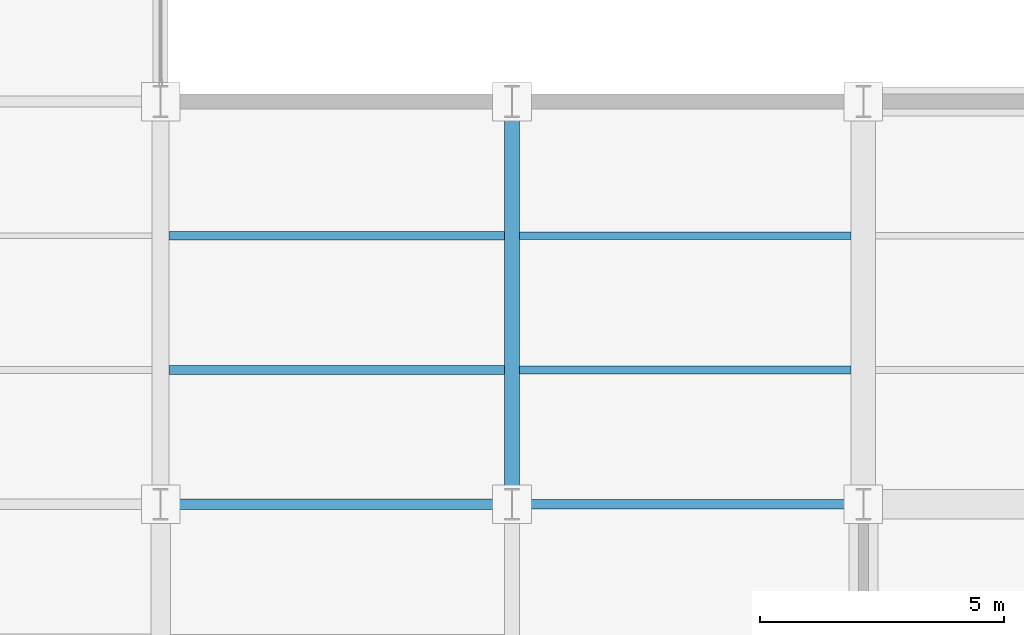
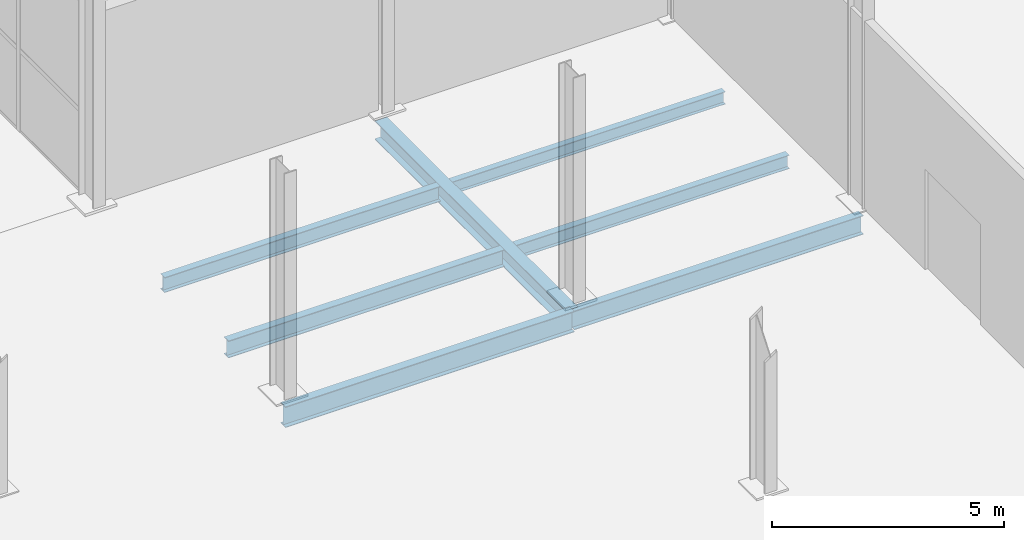
# One storey, part 82 of 144: 7 beams.
"""IFC4 building model written with IfcOpenShell, lengths in metres."""

import ifcopenshell
import ifcopenshell.guid

model = None  # the IFC model being written
_history = None  # IfcOwnerHistory: only IFC2X3 demands one
_inside = {}  # id of a spatial element -> (the spatial element, [elements in it])
_under = {}  # id of a project, library or spatial element -> (it, [spatial elements below it])
_declared = {}  # id of a project -> (the project, [libraries it declares])
_typed = {}  # id of a type object -> (the type object, [elements of that type])
_made_of = {}  # id of a material, layer set ... -> (it, [elements and type objects made of it])


def new_model(schema):
    """Start an empty IFC model of exactly this schema.

    Asked for "IFC4X3", IfcOpenShell would pick the latest addendum, in which some entities
    have other attributes; the version numbers below select the first issue.
    IFC2X3 requires an IfcOwnerHistory on every rooted entity: one is made here for all.
    """
    global model, _history
    if schema == "IFC4X3":
        model = ifcopenshell.file(schema_version=(4, 3, 0, 0))
    else:
        model = ifcopenshell.file(schema=schema)
    _inside.clear()
    _under.clear()
    _declared.clear()
    _typed.clear()
    _made_of.clear()
    _history = None
    if model.schema == "IFC2X3":
        org = make("IfcOrganization", Name="unknown")
        user = make(
            "IfcPersonAndOrganization",
            ThePerson=make("IfcPerson", FamilyName="unknown"),
            TheOrganization=org,
        )
        app = make(
            "IfcApplication",
            ApplicationDeveloper=org,
            Version="unknown",
            ApplicationFullName="unknown",
            ApplicationIdentifier="unknown",
        )
        _history = make(
            "IfcOwnerHistory",
            OwningUser=user,
            OwningApplication=app,
            ChangeAction="ADDED",
            CreationDate=0,
        )
    return model


def make(cls, **values):
    """One entity of the class cls with the attributes given. An attribute that is None is left unset."""
    return model.create_entity(
        cls, **{name: value for name, value in values.items() if value is not None}
    )


def rooted(cls, **values):
    """An entity with a GlobalId (a new one), such as an element, a storey or a relation."""
    return make(cls, GlobalId=ifcopenshell.guid.new(), OwnerHistory=_history, **values)


def si_unit(unit_type, name, prefix=None):
    """IfcSIUnit, for example si_unit("LENGTHUNIT", "METRE", prefix="MILLI")."""
    return make("IfcSIUnit", UnitType=unit_type, Prefix=prefix, Name=name)


def assignment(units):
    """IfcUnitAssignment: the units of a project."""
    return None if units is None else make("IfcUnitAssignment", Units=units)


def point(xyz):
    """IfcCartesianPoint."""
    return None if xyz is None else make("IfcCartesianPoint", Coordinates=xyz)


def direction(xyz):
    """IfcDirection."""
    return None if xyz is None else make("IfcDirection", DirectionRatios=xyz)


def frame(location, z_axis=None, x_axis=None):
    """IfcAxis2Placement3D, a coordinate frame: its origin and axes. An axis left out is left unset."""
    return make(
        "IfcAxis2Placement3D",
        Location=point(location),
        Axis=direction(z_axis),
        RefDirection=direction(x_axis),
    )


def frame_2d(location, x_axis=None):
    """IfcAxis2Placement2D, a coordinate frame in the plane: its origin and x axis."""
    return make(
        "IfcAxis2Placement2D", Location=point(location), RefDirection=direction(x_axis)
    )


def origin():
    """The frame at (0, 0, 0) with its axes left unset."""
    return frame((0.0, 0.0, 0.0))


def origin_2d():
    """The frame at (0, 0) in the plane with its x axis left unset."""
    return frame_2d((0.0, 0.0))


def place(relative_to, where):
    """IfcLocalPlacement: puts the frame where relative to a parent placement (None: the world)."""
    return make(
        "IfcLocalPlacement", PlacementRelTo=relative_to, RelativePlacement=where
    )


def context(
    kind, dimensions, precision=None, world=None, true_north=None, identifier=None
):
    """IfcGeometricRepresentationContext, for example the 3D "Model" context."""
    return make(
        "IfcGeometricRepresentationContext",
        ContextIdentifier=identifier,
        ContextType=kind,
        CoordinateSpaceDimension=dimensions,
        Precision=precision,
        WorldCoordinateSystem=world,
        TrueNorth=true_north,
    )


def subcontext(parent, identifier, kind, view, scale=None):
    """IfcGeometricRepresentationSubContext, for example "Body" below "Model"."""
    return make(
        "IfcGeometricRepresentationSubContext",
        ContextIdentifier=identifier,
        ContextType=kind,
        ParentContext=parent,
        TargetScale=scale,
        TargetView=view,
    )


def project(units=None, contexts=None):
    """IfcProject with its units and contexts."""
    return rooted(
        "IfcProject",
        Name="project",
        RepresentationContexts=contexts,
        UnitsInContext=assignment(units),
    )


def spatial(cls, under=None, at=None, **own):
    """A site, building, storey or space (cls), placed at a placement, below another one or the project."""
    s = rooted(cls, ObjectPlacement=at, **own)
    if under is not None:
        _under.setdefault(under.id(), (under, []))[1].append(s)
    return s


def profile(cls, at=None, kind="AREA", **sizes):
    """A parametric profile (cls). Its sizes go by their IFC names, for example OverallWidth=200.0."""
    return make(cls, ProfileType=kind, Position=at, **sizes)


def i_section(**sizes):
    """IfcIShapeProfileDef."""
    return profile("IfcIShapeProfileDef", **sizes)


def extrude(swept, where, along, depth):
    """IfcExtrudedAreaSolid: the profile swept, set in the frame where, extruded along a direction by depth."""
    return make(
        "IfcExtrudedAreaSolid",
        SweptArea=swept,
        Position=where,
        ExtrudedDirection=direction(along),
        Depth=depth,
    )


def shape(context_of_items, identifier, shape_type, items):
    """IfcShapeRepresentation: the items that make up one representation, for example the "Body"."""
    return make(
        "IfcShapeRepresentation",
        ContextOfItems=context_of_items,
        RepresentationIdentifier=identifier,
        RepresentationType=shape_type,
        Items=items,
    )


def material(Name=None, Category=None):
    """IfcMaterial."""
    return make("IfcMaterial", Name=Name, Category=Category)


def material_profile(
    of_material, cross_section, Name=None, Category=None, Priority=None
):
    """IfcMaterialProfile: a cross section and its material."""
    return make(
        "IfcMaterialProfile",
        Name=Name,
        Material=of_material,
        Profile=cross_section,
        Priority=Priority,
        Category=Category,
    )


def profile_set(profiles, Name=None, composite=None):
    """IfcMaterialProfileSet."""
    return make(
        "IfcMaterialProfileSet",
        Name=Name,
        MaterialProfiles=profiles,
        CompositeProfile=composite,
    )


def made_of(thing, what):
    """Note that an element or type object is made of a material, layer set ...; save() writes the relation."""
    if what is not None:
        _made_of.setdefault(what.id(), (what, []))[1].append(thing)
    return thing


def type_object(cls, material=None, **own):
    """A type object (cls), such as IfcWallType, which elements share."""
    return made_of(rooted(cls, **own), material)


def element(
    cls,
    number,
    at=None,
    inside=None,
    cuts=None,
    type_object=None,
    material=None,
    context=None,
    identifier="Body",
    shape_type=None,
    held_by="IfcProductDefinitionShape",
    body=None,
    shapes=None,
    **own,
):
    """One element of the class cls, such as IfcWall. Its Tag is "e" and its number.

    at: its placement. inside: the storey or other place that contains it. cuts: it is an
    opening in that element (IfcRelVoidsElement). A single representation is given by context,
    identifier, shape_type and body (its items); several are given by shapes. held_by: the class
    of the entity that holds the representations. save() writes the other relations.
    """
    e = rooted(cls, Tag="e%d" % number, ObjectPlacement=at, **own)
    if body is not None:
        shapes = [shape(context, identifier, shape_type, body)]
    if shapes is not None:
        e.Representation = make(held_by, Representations=shapes)
    if inside is not None:
        _inside.setdefault(inside.id(), (inside, []))[1].append(e)
    if cuts is not None:
        rooted(
            "IfcRelVoidsElement", RelatingBuildingElement=cuts, RelatedOpeningElement=e
        )
    if type_object is not None:
        _typed.setdefault(type_object.id(), (type_object, []))[1].append(e)
    return made_of(e, material)


def aggregate(whole, parts):
    """IfcRelAggregates: a whole, such as a stair, and the parts it consists of."""
    return rooted("IfcRelAggregates", RelatingObject=whole, RelatedObjects=parts)


def save(model, path):
    """Write the relations noted so far, then the file.

    IfcRelAggregates (storeys below a building ...), IfcRelContainedInSpatialStructure (elements
    in a storey), IfcRelDefinesByType, IfcRelAssociatesMaterial and IfcRelDeclares: one each for
    every whole, place, type object, material and project.
    """
    for whole, parts in _under.values():
        aggregate(whole, parts)
    for where, things in _inside.values():
        rooted(
            "IfcRelContainedInSpatialStructure",
            RelatedElements=things,
            RelatingStructure=where,
        )
    for kind, things in _typed.values():
        rooted("IfcRelDefinesByType", RelatedObjects=things, RelatingType=kind)
    for what, things in _made_of.values():
        rooted("IfcRelAssociatesMaterial", RelatedObjects=things, RelatingMaterial=what)
    for by, libraries in _declared.values():
        rooted("IfcRelDeclares", RelatingContext=by, RelatedDefinitions=libraries)
    model.write(path)


model = new_model("IFC4")

# Units and contexts
model_context = context("Model", 3, precision=1e-05, world=origin(), true_north=direction((0.0, 1.0)))
body_context = subcontext(model_context, "Body", "Model", "MODEL_VIEW")
ifc_project = project(units=[si_unit("LENGTHUNIT", "METRE"), si_unit("AREAUNIT", "SQUARE_METRE"), si_unit("VOLUMEUNIT", "CUBIC_METRE"), si_unit("PLANEANGLEUNIT", "RADIAN"), si_unit("MASSUNIT", "GRAM", prefix="KILO")], contexts=[model_context])

# Site, building, storey
site_placement = place(None, origin())
site = spatial("IfcSite", under=ifc_project, at=site_placement, CompositionType="ELEMENT")
building_placement = place(site_placement, origin())
building = spatial("IfcBuilding", under=site, at=building_placement, Name="Sundgate Opera House", CompositionType="ELEMENT")
storey_placement = place(building_placement, origin())
storey = spatial("IfcBuildingStorey", under=building, at=storey_placement, Name="L00", CompositionType="ELEMENT", Elevation=0.0)

# Beams
ifc_material_1 = material(Name="Steel S355J2", Category="steel")
ifc_material_profile_1 = material_profile(ifc_material_1, i_section(OverallWidth=0.300048828125, OverallDepth=0.489990234375, WebThickness=0.011962890625, FlangeThickness=0.02294921875, at=origin_2d()), Name="HEA 500")
ifc_profile_set_1 = profile_set([ifc_material_profile_1], Name="Steel S355J2")
beam_type_1 = type_object("IfcBeamType", Name="BM-GR-HEA500", PredefinedType="BEAM", material=ifc_profile_set_1)
beam_1_placement = place(storey_placement, frame((153.0, 24.75, -0.56494140625), z_axis=(0.0, 1.0, 0.0), x_axis=(-1.0, 0.0, 0.0)))
element("IfcBeam", 1, at=beam_1_placement, inside=storey, type_object=beam_type_1, Name="L00 Primary N-S Girder B0288", PredefinedType="BEAM", context=body_context, shape_type="SweptSolid", body=[
    extrude(i_section(OverallWidth=0.300048828125, OverallDepth=0.489990234375, WebThickness=0.011962890625, FlangeThickness=0.02294921875, at=origin_2d()), origin(), (0.0, 0.0, 1.0), 8.25),
])
ifc_material_2 = material(Name="Steel S355J2", Category="steel")
ifc_material_profile_2 = material_profile(ifc_material_2, i_section(OverallWidth=0.199951171875, OverallDepth=0.5, WebThickness=0.01025390625, FlangeThickness=0.01611328125, at=origin_2d()), Name="IPE 500")
ifc_profile_set_2 = profile_set([ifc_material_profile_2], Name="Steel S355J2")
beam_type_2 = type_object("IfcBeamType", Name="BM-GR-IPE500", PredefinedType="BEAM", material=ifc_profile_set_2)
beam_2_placement = place(storey_placement, frame((153.0, 24.75, -0.570068359375), z_axis=(1.0, 0.0, 0.0), x_axis=(0.0, 1.0, 0.0)))
element("IfcBeam", 2, at=beam_2_placement, inside=storey, type_object=beam_type_2, Name="L00 Primary E-W Girder B0382", PredefinedType="BEAM", context=body_context, shape_type="SweptSolid", body=[
    extrude(i_section(OverallWidth=0.199951171875, OverallDepth=0.5, WebThickness=0.01025390625, FlangeThickness=0.01611328125, at=origin_2d()), origin(), (0.0, 0.0, 1.0), 7.199951171875),
])
ifc_material_3 = material(Name="Steel S355J2", Category="steel")
ifc_material_profile_3 = material_profile(ifc_material_3, i_section(OverallWidth=0.2099609375, OverallDepth=0.550048828125, WebThickness=0.010986328125, FlangeThickness=0.01708984375, at=origin_2d()), Name="IPE 550")
ifc_profile_set_3 = profile_set([ifc_material_profile_3], Name="Steel S355J2")
beam_type_3 = type_object("IfcBeamType", Name="BM-GR-IPE550", PredefinedType="BEAM", material=ifc_profile_set_3)
beam_3_placement = place(storey_placement, frame((145.800048828125, 24.75, -0.594970703125), z_axis=(1.0, 0.0, 0.0), x_axis=(0.0, 1.0, 0.0)))
element("IfcBeam", 3, at=beam_3_placement, inside=storey, type_object=beam_type_3, Name="L00 Primary E-W Girder B0381", PredefinedType="BEAM", context=body_context, shape_type="SweptSolid", body=[
    extrude(i_section(OverallWidth=0.2099609375, OverallDepth=0.550048828125, WebThickness=0.010986328125, FlangeThickness=0.01708984375, at=origin_2d()), origin(), (0.0, 0.0, 1.0), 7.199951171875),
])
ifc_material_4 = material(Name="Steel S355J2", Category="steel")
ifc_material_profile_4 = material_profile(ifc_material_4, i_section(OverallWidth=0.159912109375, OverallDepth=0.330078125, WebThickness=0.007568359375, FlangeThickness=0.011474609375, at=origin_2d()), Name="IPE 330")
ifc_profile_set_4 = profile_set([ifc_material_profile_4], Name="Steel S355J2")
beam_type_4 = type_object("IfcBeamType", Name="BM-JS-IPE330", PredefinedType="JOIST", material=ifc_profile_set_4)
beam_4_placement = place(storey_placement, frame((153.14990234375, 30.25, -0.485107421875), z_axis=(1.0, 0.0, 0.0), x_axis=(0.0, 1.0, 0.0)))
element("IfcBeam", 4, at=beam_4_placement, inside=storey, type_object=beam_type_4, Name="L00 Secondary Floor Joist B0703", PredefinedType="JOIST", context=body_context, shape_type="SweptSolid", body=[
    extrude(i_section(OverallWidth=0.159912109375, OverallDepth=0.330078125, WebThickness=0.007568359375, FlangeThickness=0.011474609375, at=origin_2d()), origin(), (0.0, 0.0, 1.0), 6.800048828125),
])
ifc_material_5 = material(Name="Steel S355J2", Category="steel")
ifc_material_profile_5 = material_profile(ifc_material_5, i_section(OverallWidth=0.169921875, OverallDepth=0.360107421875, WebThickness=0.008056640625, FlangeThickness=0.0126953125, at=origin_2d()), Name="IPE 360")
ifc_profile_set_5 = profile_set([ifc_material_profile_5], Name="Steel S355J2")
beam_type_5 = type_object("IfcBeamType", Name="BM-JS-IPE360", PredefinedType="JOIST", material=ifc_profile_set_5)
beam_5_placement = place(storey_placement, frame((153.14990234375, 27.5, -0.5), z_axis=(1.0, 0.0, 0.0), x_axis=(0.0, 1.0, 0.0)))
element("IfcBeam", 5, at=beam_5_placement, inside=storey, type_object=beam_type_5, Name="L00 Secondary Floor Joist B0702", PredefinedType="JOIST", context=body_context, shape_type="SweptSolid", body=[
    extrude(i_section(OverallWidth=0.169921875, OverallDepth=0.360107421875, WebThickness=0.008056640625, FlangeThickness=0.0126953125, at=origin_2d()), origin(), (0.0, 0.0, 1.0), 6.800048828125),
])
ifc_material_6 = material(Name="Steel S355J2", Category="steel")
ifc_material_profile_6 = material_profile(ifc_material_6, i_section(OverallWidth=0.179931640625, OverallDepth=0.39990234375, WebThickness=0.008544921875, FlangeThickness=0.013427734375, at=origin_2d()), Name="IPE 400")
ifc_profile_set_6 = profile_set([ifc_material_profile_6], Name="Steel S355J2")
beam_type_6 = type_object("IfcBeamType", Name="BM-JS-IPE400", PredefinedType="JOIST", material=ifc_profile_set_6)
beam_6_placement = place(storey_placement, frame((145.97509765625, 30.25, -0.52001953125), z_axis=(1.0, 0.0, 0.0), x_axis=(0.0, 1.0, 0.0)))
element("IfcBeam", 6, at=beam_6_placement, inside=storey, type_object=beam_type_6, Name="L00 Secondary Floor Joist B0701", PredefinedType="JOIST", context=body_context, shape_type="SweptSolid", body=[
    extrude(i_section(OverallWidth=0.179931640625, OverallDepth=0.39990234375, WebThickness=0.008544921875, FlangeThickness=0.013427734375, at=origin_2d()), origin(), (0.0, 0.0, 1.0), 6.875),
])
ifc_material_7 = material(Name="Steel S355J2", Category="steel")
ifc_material_profile_7 = material_profile(ifc_material_7, i_section(OverallWidth=0.18994140625, OverallDepth=0.449951171875, WebThickness=0.009521484375, FlangeThickness=0.0146484375, at=origin_2d()), Name="IPE 450")
ifc_profile_set_7 = profile_set([ifc_material_profile_7], Name="Steel S355J2")
beam_type_7 = type_object("IfcBeamType", Name="BM-JS-IPE450", PredefinedType="JOIST", material=ifc_profile_set_7)
beam_7_placement = place(storey_placement, frame((145.97509765625, 27.5, -0.544921875), z_axis=(1.0, 0.0, 0.0), x_axis=(0.0, 1.0, 0.0)))
element("IfcBeam", 7, at=beam_7_placement, inside=storey, type_object=beam_type_7, Name="L00 Secondary Floor Joist B0700", PredefinedType="JOIST", context=body_context, shape_type="SweptSolid", body=[
    extrude(i_section(OverallWidth=0.18994140625, OverallDepth=0.449951171875, WebThickness=0.009521484375, FlangeThickness=0.0146484375, at=origin_2d()), origin(), (0.0, 0.0, 1.0), 6.875),
])

save(model, "model.ifc")
